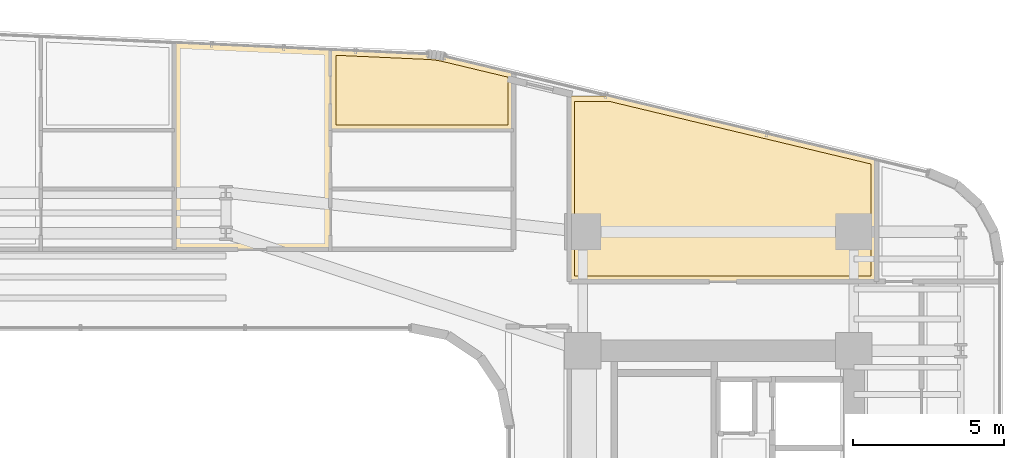
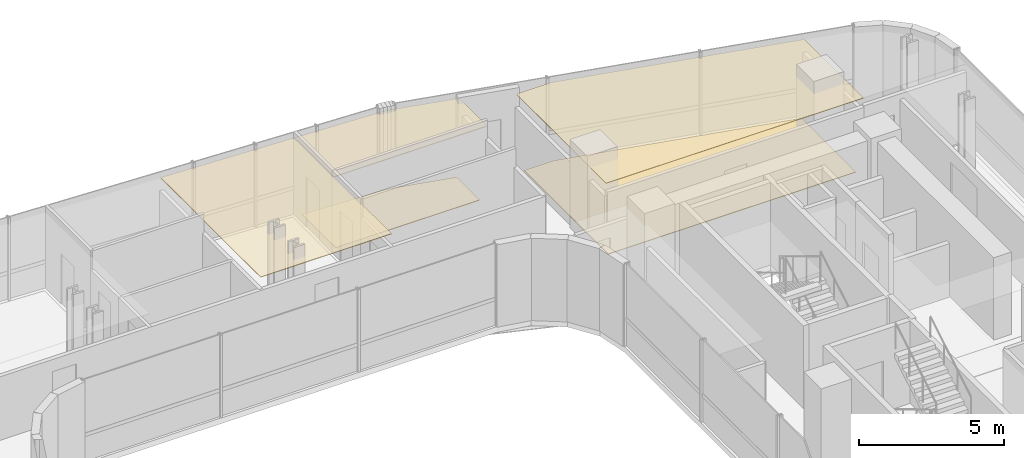
# One storey, part 37 of 37: 5 coverings.
"""IFC4 building model written with IfcOpenShell, lengths in metres."""

from ifc_helpers import new_model, si_unit, direction, frame, origin, place, context, subcontext, project, spatial, polyline, outline, extrude, material, layer, layer_set, type_object, element, save


model = new_model("IFC4")

# Units and contexts
model_context = context("Model", 3, precision=1e-05, world=origin(), true_north=direction((0.0, 1.0)))
body_context = subcontext(model_context, "Body", "Model", "MODEL_VIEW")
ifc_project = project(units=[si_unit("LENGTHUNIT", "METRE"), si_unit("AREAUNIT", "SQUARE_METRE"), si_unit("VOLUMEUNIT", "CUBIC_METRE"), si_unit("PLANEANGLEUNIT", "RADIAN"), si_unit("MASSUNIT", "GRAM", prefix="KILO")], contexts=[model_context])

# Site, building, storey
site_placement = place(None, origin())
site = spatial("IfcSite", under=ifc_project, at=site_placement, CompositionType="ELEMENT")
building_placement = place(site_placement, origin())
building = spatial("IfcBuilding", under=site, at=building_placement, Name="Valdorenza Pilgrim Sanctuary Tower", CompositionType="ELEMENT")
storey_placement = place(building_placement, frame((0.0, 0.0, 127.89990234375)))
storey = spatial("IfcBuildingStorey", under=building, at=storey_placement, Name="L32", CompositionType="ELEMENT", Elevation=127.89990234375)

# Coverings
ifc_material_1 = material(Name="Micro-perforated acoustic mineral ceiling tile", Category="gypsum")
ifc_layer_1 = layer(ifc_material_1, 0.02490234375, Name="Micro-perforated acoustic mineral ceiling tile")
ifc_layer_set_1 = layer_set([ifc_layer_1], Name="Micro-perforated acoustic mineral ceiling tile")
covering_type_1 = type_object("IfcCoveringType", Name="COV-CLG-ACU", PredefinedType="CEILING", material=ifc_layer_set_1)
covering_1_placement = place(storey_placement, frame((0.0, 0.0, 3.16015625)))
element("IfcCovering", 1, at=covering_1_placement, inside=storey, type_object=covering_type_1, Name="L32 North Sanctuary Apartment L32-N4 Bedroom Acoustic Ceiling", PredefinedType="CEILING", context=body_context, shape_type="SweptSolid", body=[
    extrude(outline(polyline([(7.468017578125, 16.85498046875), (7.466552734375, 16.85498046875), (7.465087890625, 16.855224609375), (7.463623046875, 16.855712890625), (7.46240234375, 16.856201171875), (7.4609375, 16.856689453125), (7.459716796875, 16.857421875), (7.45849609375, 16.8583984375), (7.45751953125, 16.859375), (7.456298828125, 16.860595703125), (7.45556640625, 16.86181640625), (7.454833984375, 16.86279296875), (7.4541015625, 16.8642578125), (7.45361328125, 16.865478515625), (7.453369140625, 16.8671875), (7.453125, 16.868408203125), (7.452880859375, 16.8701171875), (7.452880859375, 19.55029296875), (7.453125, 19.552001953125), (7.453369140625, 19.553466796875), (7.45361328125, 19.554931640625), (7.4541015625, 19.556396484375), (7.454833984375, 19.5576171875), (7.455810546875, 19.55908203125), (7.45654296875, 19.560302734375), (7.45751953125, 19.561279296875), (7.458740234375, 19.562255859375), (7.4599609375, 19.56298828125), (7.461181640625, 19.56396484375), (7.462646484375, 19.564453125), (7.464111328125, 19.56494140625), (7.4658203125, 19.565185546875), (7.46728515625, 19.5654296875), (7.46875, 19.5654296875), (10.690673828125, 19.4189453125), (10.69091796875, 19.4189453125), (10.838134765625, 19.40869140625), (10.8388671875, 19.40869140625), (10.984375, 19.3916015625), (10.985107421875, 19.3916015625), (11.12939453125, 19.36767578125), (11.130126953125, 19.36767578125), (11.274658203125, 19.336669921875), (11.27490234375, 19.33642578125), (13.553466796875, 18.791015625), (13.554931640625, 18.790771484375), (13.55615234375, 18.790283203125), (13.5576171875, 18.78955078125), (13.55859375, 18.788818359375), (13.559814453125, 18.787841796875), (13.560791015625, 18.786865234375), (13.561767578125, 18.785888671875), (13.5625, 18.78466796875), (13.563232421875, 18.783447265625), (13.56396484375, 18.781982421875), (13.564453125, 18.78076171875), (13.564697265625, 18.779296875), (13.56494140625, 18.778076171875), (13.56494140625, 18.776611328125), (13.56494140625, 16.8701171875), (13.56494140625, 16.868408203125), (13.564697265625, 16.8671875), (13.564453125, 16.865478515625), (13.56396484375, 16.8642578125), (13.563232421875, 16.86279296875), (13.5625, 16.86181640625), (13.5615234375, 16.860595703125), (13.560546875, 16.859375), (13.5595703125, 16.8583984375), (13.558349609375, 16.857421875), (13.55712890625, 16.856689453125), (13.5556640625, 16.856201171875), (13.554443359375, 16.855712890625), (13.552978515625, 16.855224609375), (13.551513671875, 16.85498046875), (13.550048828125, 16.85498046875), (7.468017578125, 16.85498046875)])), origin(), (0.0, 0.0, 1.0), 0.02490234375),
])
covering_2_placement = place(storey_placement, frame((0.0, 0.0, 3.16015625)))
element("IfcCovering", 2, at=covering_2_placement, inside=storey, type_object=covering_type_1, Name="L32 North Sanctuary Apartment L32-N4 Living Room Acoustic Ceiling", PredefinedType="CEILING", context=body_context, shape_type="SweptSolid", body=[
    extrude(outline(polyline([(2.27392578125, 14.918212890625), (2.27392578125, 14.9189453125), (2.273681640625, 14.92041015625), (2.273681640625, 14.922119140625), (2.27392578125, 14.923583984375), (2.27392578125, 14.923828125), (2.27392578125, 16.8662109375), (2.27392578125, 16.866943359375), (2.273681640625, 16.868408203125), (2.273681640625, 16.8701171875), (2.27392578125, 16.87158203125), (2.27392578125, 16.871826171875), (2.27392578125, 19.785888671875), (2.274169921875, 19.787353515625), (2.2744140625, 19.788818359375), (2.274658203125, 19.790283203125), (2.275146484375, 19.791748046875), (2.27587890625, 19.793212890625), (2.276611328125, 19.79443359375), (2.277587890625, 19.795654296875), (2.278564453125, 19.796630859375), (2.27978515625, 19.797607421875), (2.281005859375, 19.798583984375), (2.2822265625, 19.79931640625), (2.28369140625, 19.7998046875), (2.28515625, 19.80029296875), (2.28662109375, 19.800537109375), (2.2880859375, 19.80078125), (2.289794921875, 19.80078125), (7.466796875, 19.5654296875), (7.468017578125, 19.5654296875), (7.469482421875, 19.565185546875), (7.470947265625, 19.564697265625), (7.47216796875, 19.564208984375), (7.473388671875, 19.5634765625), (7.474609375, 19.562744140625), (7.475830078125, 19.56201171875), (7.476806640625, 19.560791015625), (7.477783203125, 19.559814453125), (7.478515625, 19.55859375), (7.479248046875, 19.557373046875), (7.47998046875, 19.55615234375), (7.48046875, 19.5546875), (7.480712890625, 19.553466796875), (7.48095703125, 19.552001953125), (7.48095703125, 19.550537109375), (7.48095703125, 16.87548828125), (7.481201171875, 16.875), (7.48193359375, 16.87353515625), (7.482421875, 16.872314453125), (7.482666015625, 16.870849609375), (7.48291015625, 16.869384765625), (7.48291015625, 16.867919921875), (7.48291015625, 12.919921875), (7.48291015625, 12.91845703125), (7.482666015625, 12.9169921875), (7.482421875, 12.91552734375), (7.48193359375, 12.914306640625), (7.481201171875, 12.912841796875), (7.48046875, 12.91162109375), (7.4794921875, 12.910400390625), (7.478515625, 12.909423828125), (7.4775390625, 12.908447265625), (7.476318359375, 12.907470703125), (7.47509765625, 12.90673828125), (7.4736328125, 12.906005859375), (7.472412109375, 12.905517578125), (7.470947265625, 12.9052734375), (7.469482421875, 12.905029296875), (7.468017578125, 12.905029296875), (2.2890625, 12.905029296875), (2.28759765625, 12.905029296875), (2.2861328125, 12.9052734375), (2.28466796875, 12.905517578125), (2.283203125, 12.906005859375), (2.281982421875, 12.90673828125), (2.28076171875, 12.907470703125), (2.279541015625, 12.908447265625), (2.2783203125, 12.909423828125), (2.27734375, 12.910400390625), (2.276611328125, 12.91162109375), (2.27587890625, 12.912841796875), (2.275146484375, 12.914306640625), (2.274658203125, 12.91552734375), (2.2744140625, 12.9169921875), (2.274169921875, 12.91845703125), (2.27392578125, 12.919921875), (2.27392578125, 14.918212890625)])), origin(), (0.0, 0.0, 1.0), 0.02490234375),
])
covering_3_placement = place(storey_placement, frame((0.0, 0.0, 3.16015625)))
element("IfcCovering", 3, at=covering_3_placement, inside=storey, type_object=covering_type_1, Name="L32 Curator Research Office L32-BN1 Acoustic Ceiling", PredefinedType="CEILING", context=body_context, shape_type="SweptSolid", body=[
    extrude(outline(polyline([(15.39990234375, 11.8349609375), (15.3984375, 11.835205078125), (15.397216796875, 11.835205078125), (15.3955078125, 11.835693359375), (15.394287109375, 11.836181640625), (15.392822265625, 11.8369140625), (15.3916015625, 11.83740234375), (15.390380859375, 11.83837890625), (15.389404296875, 11.83935546875), (15.388427734375, 11.840576171875), (15.387451171875, 11.841796875), (15.38671875, 11.843017578125), (15.385986328125, 11.84423828125), (15.385498046875, 11.845703125), (15.38525390625, 11.84716796875), (15.385009765625, 11.848388671875), (15.385009765625, 11.85009765625), (15.385009765625, 18.0), (15.385009765625, 18.00146484375), (15.38525390625, 18.0029296875), (15.385498046875, 18.00439453125), (15.385986328125, 18.005615234375), (15.38671875, 18.007080078125), (15.387451171875, 18.00830078125), (15.388427734375, 18.009521484375), (15.389404296875, 18.010498046875), (15.390380859375, 18.01171875), (15.3916015625, 18.012451171875), (15.392822265625, 18.01318359375), (15.394287109375, 18.013916015625), (15.3955078125, 18.014404296875), (15.397216796875, 18.0146484375), (15.3984375, 18.014892578125), (15.39990234375, 18.014892578125), (16.794189453125, 18.014892578125), (16.7958984375, 18.014892578125), (16.797607421875, 18.0146484375), (25.603515625, 15.90673828125), (25.60498046875, 15.906494140625), (25.606201171875, 15.906005859375), (25.607421875, 15.9052734375), (25.608642578125, 15.904541015625), (25.60986328125, 15.903564453125), (25.61083984375, 15.902587890625), (25.61181640625, 15.901611328125), (25.612548828125, 15.900390625), (25.61328125, 15.899169921875), (25.614013671875, 15.897705078125), (25.614501953125, 15.896484375), (25.61474609375, 15.89501953125), (25.614990234375, 15.893798828125), (25.614990234375, 15.892333984375), (25.614990234375, 11.85009765625), (25.614990234375, 11.848388671875), (25.61474609375, 11.84716796875), (25.614501953125, 11.845703125), (25.614013671875, 11.84423828125), (25.61328125, 11.843017578125), (25.612548828125, 11.841796875), (25.611572265625, 11.840576171875), (25.610595703125, 11.83935546875), (25.609619140625, 11.83837890625), (25.6083984375, 11.83740234375), (25.607177734375, 11.8369140625), (25.605712890625, 11.836181640625), (25.6044921875, 11.835693359375), (25.602783203125, 11.835205078125), (25.6015625, 11.835205078125), (25.60009765625, 11.8349609375), (15.39990234375, 11.8349609375)])), origin(), (0.0, 0.0, 1.0), 0.02490234375),
])
ifc_material_2 = material(Name="Engineered European oak timber flooring", Category="wood")
ifc_layer_2 = layer(ifc_material_2, 0.02197265625, Name="Engineered European oak timber flooring")
ifc_layer_set_2 = layer_set([ifc_layer_2], Name="Engineered European oak timber flooring")
covering_type_2 = type_object("IfcCoveringType", Name="COV-FLR-OAK", PredefinedType="FLOORING", material=ifc_layer_set_2)
covering_4_placement = place(storey_placement, origin())
element("IfcCovering", 4, at=covering_4_placement, inside=storey, type_object=covering_type_2, Name="L32 North Sanctuary Apartment L32-N4 Bedroom Flooring", PredefinedType="FLOORING", context=body_context, shape_type="SweptSolid", body=[
    extrude(outline(polyline([(7.64794921875, 17.050048828125), (7.64794921875, 19.362060546875), (10.6796875, 19.224365234375), (10.820556640625, 19.214599609375), (10.95751953125, 19.198486328125), (11.093505859375, 19.176025390625), (11.231689453125, 19.146484375), (13.3701171875, 18.634521484375), (13.3701171875, 17.050048828125), (7.64794921875, 17.050048828125)])), origin(), (0.0, 0.0, 1.0), 0.025146484375),
])
ifc_material_3 = material(Name="Honed travertine stone flooring", Category="masonry")
ifc_layer_3 = layer(ifc_material_3, 0.030029296875, Name="Honed travertine stone flooring")
ifc_layer_set_3 = layer_set([ifc_layer_3], Name="Honed travertine stone flooring")
covering_type_3 = type_object("IfcCoveringType", Name="COV-FLR-TRV", PredefinedType="FLOORING", material=ifc_layer_set_3)
covering_5_placement = place(storey_placement, origin())
element("IfcCovering", 5, at=covering_5_placement, inside=storey, type_object=covering_type_3, Name="L32 Curator Research Office L32-BN1 Flooring", PredefinedType="FLOORING", context=body_context, shape_type="SweptSolid", body=[
    extrude(outline(polyline([(15.580078125, 12.030029296875), (15.580078125, 17.820068359375), (16.77294921875, 17.820068359375), (25.419921875, 15.750244140625), (25.419921875, 12.030029296875), (15.580078125, 12.030029296875)])), origin(), (0.0, 0.0, 1.0), 0.025146484375),
])

save(model, "model.ifc")
